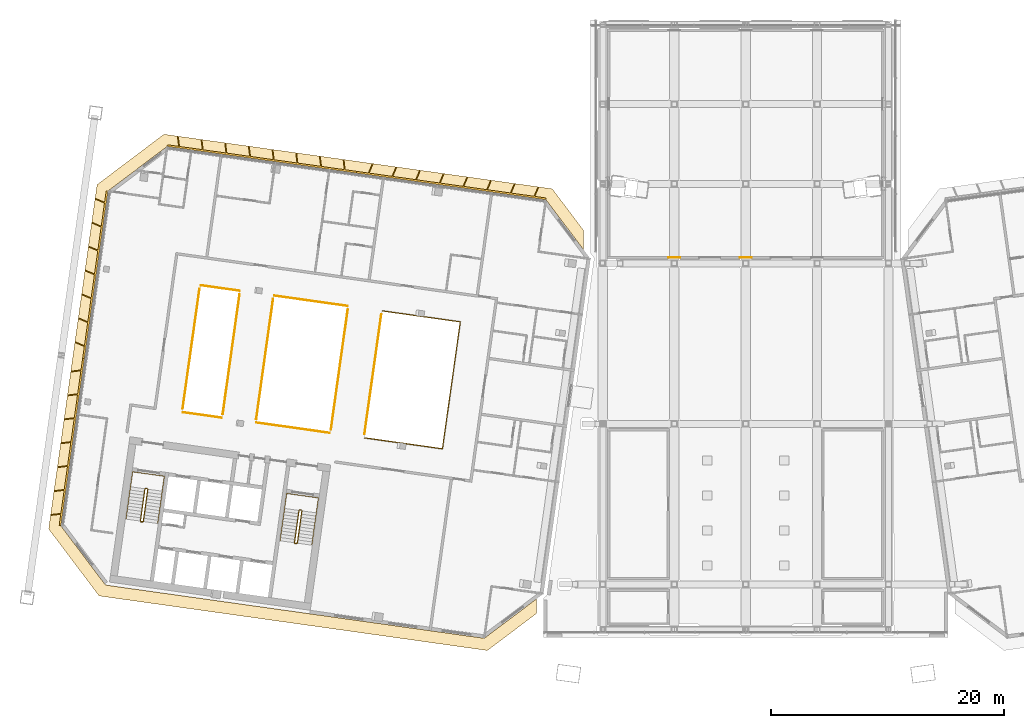
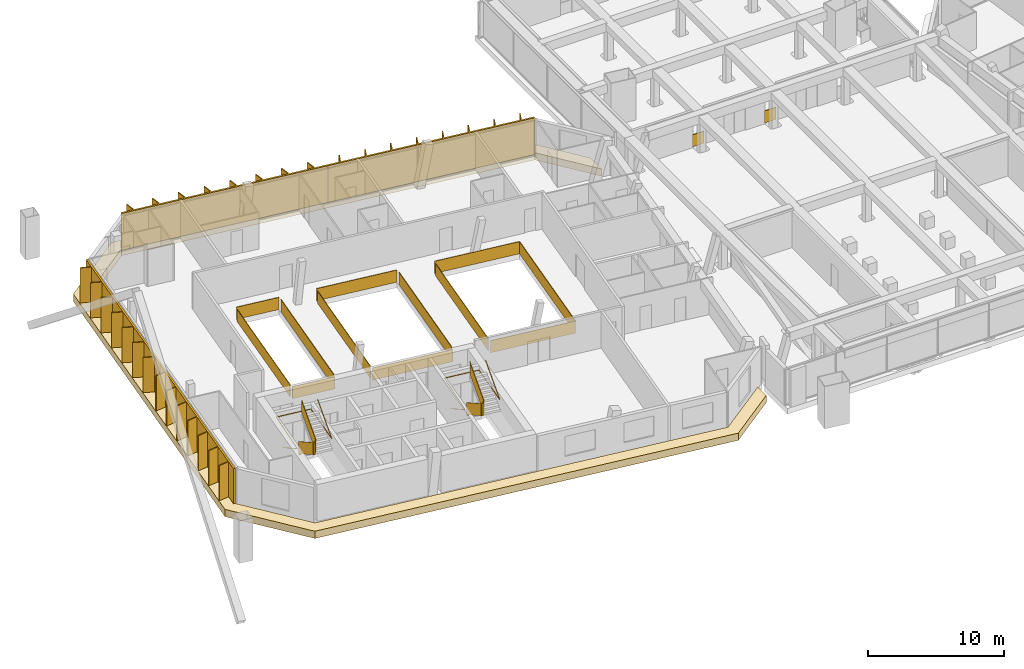
# One storey, part 24 of 28: 16 railings, 4 shading devices, 1 covering.
"""IFC4 building model written with IfcOpenShell, lengths in metres."""

from ifc_helpers import new_model, si_unit, direction, frame, origin, origin_2d, place, context, subcontext, project, spatial, polyline, rectangle, outline, extrude, material, layer, layer_set, type_object, element, save


model = new_model("IFC4")

# Units and contexts
model_context = context("Model", 3, precision=1e-05, world=origin(), true_north=direction((0.0, 1.0)))
body_context = subcontext(model_context, "Body", "Model", "MODEL_VIEW")
ifc_project = project(units=[si_unit("LENGTHUNIT", "METRE"), si_unit("AREAUNIT", "SQUARE_METRE"), si_unit("VOLUMEUNIT", "CUBIC_METRE"), si_unit("PLANEANGLEUNIT", "RADIAN"), si_unit("MASSUNIT", "GRAM", prefix="KILO")], contexts=[model_context])

# Site, building, storey
site_placement = place(None, origin())
site = spatial("IfcSite", under=ifc_project, at=site_placement, CompositionType="ELEMENT")
building_placement = place(site_placement, origin())
building = spatial("IfcBuilding", under=site, at=building_placement, Name="Mirante Cascada Hotel Towers", CompositionType="ELEMENT")
storey_placement = place(building_placement, frame((0.0, 0.0, 262.2)))
storey = spatial("IfcBuildingStorey", under=building, at=storey_placement, Name="L63", CompositionType="ELEMENT", Elevation=262.2)

# Railings
ifc_material_1 = material(Name="Toughened glass with stainless steel handrail", Category="steel")
railing_type_1 = type_object("IfcRailingType", Name="Atrium guard 1100 glass balustrade", PredefinedType="GUARDRAIL", material=ifc_material_1)
railing_1_placement = place(storey_placement, frame((-31.1707, 5.8392, 0.0)))
element("IfcRailing", 1, at=railing_1_placement, inside=storey, type_object=railing_type_1, Name="GUARD 1-L63-1", PredefinedType="GUARDRAIL", context=body_context, shape_type="SweptSolid", body=[
    extrude(rectangle(XDim=0.048, YDim=0.048, at=origin_2d()), frame((0.0, 0.0, 1.076), z_axis=(0.9902693, -0.1391645, 0.0), x_axis=(0.1391645, 0.9902693, 0.0)), (0.0, 0.0, 1.0), 6.7503),
    extrude(rectangle(XDim=0.02, YDim=1.052, at=origin_2d()), frame((0.0, 0.0, 0.526), z_axis=(0.9902693, -0.1391645, 0.0), x_axis=(0.1391645, 0.9902693, 0.0)), (0.0, 0.0, 1.0), 6.7503),
    extrude(rectangle(XDim=0.048, YDim=0.048, at=origin_2d()), frame((6.6846, -0.9394, 1.076), z_axis=(-0.1391721, -0.9902682, 0.0), x_axis=(0.9902682, -0.1391721, 0.0)), (0.0, 0.0, 1.0), 11.0001),
    extrude(rectangle(XDim=0.02, YDim=1.052, at=origin_2d()), frame((6.6846, -0.9394, 0.526), z_axis=(-0.1391721, -0.9902682, 0.0), x_axis=(0.9902682, -0.1391721, 0.0)), (0.0, 0.0, 1.0), 11.0001),
    extrude(rectangle(XDim=0.048, YDim=0.048, at=origin_2d()), frame((5.1537, -11.8324, 1.076), z_axis=(-0.9902672, 0.139179, 0.0), x_axis=(-0.139179, -0.9902672, 0.0)), (0.0, 0.0, 1.0), 6.7503),
    extrude(rectangle(XDim=0.02, YDim=1.052, at=origin_2d()), frame((5.1537, -11.8324, 0.526), z_axis=(-0.9902672, 0.139179, 0.0), x_axis=(-0.139179, -0.9902672, 0.0)), (0.0, 0.0, 1.0), 6.7503),
])
railing_2_placement = place(storey_placement, frame((-35.6724, -4.6362, 0.0)))
element("IfcRailing", 2, at=railing_2_placement, inside=storey, type_object=railing_type_1, Name="GUARD 1-L63-2", PredefinedType="GUARDRAIL", context=body_context, shape_type="SweptSolid", body=[
    extrude(rectangle(XDim=0.048, YDim=0.048, at=origin_2d()), frame((0.0, 0.0, 1.076), z_axis=(-0.9902682, 0.1391722, 0.0), x_axis=(-0.1391722, -0.9902682, 0.0)), (0.0, 0.0, 1.0), 6.3748),
    extrude(rectangle(XDim=0.02, YDim=1.052, at=origin_2d()), frame((0.0, 0.0, 0.526), z_axis=(-0.9902682, 0.1391722, 0.0), x_axis=(-0.1391722, -0.9902682, 0.0)), (0.0, 0.0, 1.0), 6.3748),
])
railing_3_placement = place(storey_placement, frame((-40.4543, 7.1439, 0.0)))
element("IfcRailing", 3, at=railing_3_placement, inside=storey, type_object=railing_type_1, Name="GUARD 1-L63-3", PredefinedType="GUARDRAIL", context=body_context, shape_type="SweptSolid", body=[
    extrude(rectangle(XDim=0.048, YDim=0.048, at=origin_2d()), frame((0.0, 0.0, 1.076), z_axis=(0.9902682, -0.1391722, 0.0), x_axis=(0.1391722, 0.9902682, 0.0)), (0.0, 0.0, 1.0), 6.3748),
    extrude(rectangle(XDim=0.02, YDim=1.052, at=origin_2d()), frame((0.0, 0.0, 0.526), z_axis=(0.9902682, -0.1391722, 0.0), x_axis=(0.1391722, 0.9902682, 0.0)), (0.0, 0.0, 1.0), 6.3748),
])
railing_4_placement = place(storey_placement, frame((-44.9561, -3.3315, 0.0)))
element("IfcRailing", 4, at=railing_4_placement, inside=storey, type_object=railing_type_1, Name="GUARD 1-L63-4", PredefinedType="GUARDRAIL", context=body_context, shape_type="SweptSolid", body=[
    extrude(rectangle(XDim=0.048, YDim=0.048, at=origin_2d()), frame((0.0, 0.0, 1.076), z_axis=(1.0, 0.0, 0.0), x_axis=(0.0, 1.0, 0.0)), (0.0, 0.0, 1.0), 0.0001),
    extrude(rectangle(XDim=0.02, YDim=1.052, at=origin_2d()), frame((0.0, 0.0, 0.526), z_axis=(1.0, 0.0, 0.0), x_axis=(0.0, 1.0, 0.0)), (0.0, 0.0, 1.0), 0.0001),
    extrude(rectangle(XDim=0.048, YDim=0.048, at=origin_2d()), frame((0.0001, 0.0, 1.076), z_axis=(-0.9902676, 0.1391767, 0.0), x_axis=(-0.1391767, -0.9902676, 0.0)), (0.0, 0.0, 1.0), 3.3748),
    extrude(rectangle(XDim=0.02, YDim=1.052, at=origin_2d()), frame((0.0001, 0.0, 0.526), z_axis=(-0.9902676, 0.1391767, 0.0), x_axis=(-0.1391767, -0.9902676, 0.0)), (0.0, 0.0, 1.0), 3.3748),
    extrude(rectangle(XDim=0.048, YDim=0.048, at=origin_2d()), frame((-3.3419, 0.4697, 1.076), z_axis=(0.9902566, -0.1392548, 0.0), x_axis=(0.1392548, 0.9902566, 0.0)), (0.0, 0.0, 1.0), 0.1874),
    extrude(rectangle(XDim=0.02, YDim=1.052, at=origin_2d()), frame((-3.3419, 0.4697, 0.526), z_axis=(0.9902566, -0.1392548, 0.0), x_axis=(0.1392548, 0.9902566, 0.0)), (0.0, 0.0, 1.0), 0.1874),
])
railing_5_placement = place(storey_placement, frame((-46.5815, 8.0051, 0.0)))
element("IfcRailing", 5, at=railing_5_placement, inside=storey, type_object=railing_type_1, Name="GUARD 1-L63-5", PredefinedType="GUARDRAIL", context=body_context, shape_type="SweptSolid", body=[
    extrude(rectangle(XDim=0.048, YDim=0.048, at=origin_2d()), frame((0.0, 0.0, 1.076), z_axis=(-0.9902566, 0.1392548, 0.0), x_axis=(-0.1392548, -0.9902566, 0.0)), (0.0, 0.0, 1.0), 0.1874),
    extrude(rectangle(XDim=0.02, YDim=1.052, at=origin_2d()), frame((0.0, 0.0, 0.526), z_axis=(-0.9902566, 0.1392548, 0.0), x_axis=(-0.1392548, -0.9902566, 0.0)), (0.0, 0.0, 1.0), 0.1874),
    extrude(rectangle(XDim=0.048, YDim=0.048, at=origin_2d()), frame((-0.1856, 0.0261, 1.076), z_axis=(0.9902676, -0.1391767, 0.0), x_axis=(0.1391767, 0.9902676, 0.0)), (0.0, 0.0, 1.0), 3.3748),
    extrude(rectangle(XDim=0.02, YDim=1.052, at=origin_2d()), frame((-0.1856, 0.0261, 0.526), z_axis=(0.9902676, -0.1391767, 0.0), x_axis=(0.1391767, 0.9902676, 0.0)), (0.0, 0.0, 1.0), 3.3748),
    extrude(rectangle(XDim=0.048, YDim=0.048, at=origin_2d()), frame((3.1564, -0.4436, 1.076), z_axis=(-1.0, 0.0, 0.0), x_axis=(0.0, -1.0, 0.0)), (0.0, 0.0, 1.0), 0.0001),
    extrude(rectangle(XDim=0.02, YDim=1.052, at=origin_2d()), frame((3.1564, -0.4436, 0.526), z_axis=(-1.0, 0.0, 0.0), x_axis=(0.0, -1.0, 0.0)), (0.0, 0.0, 1.0), 0.0001),
])
railing_6_placement = place(storey_placement, frame((-46.8577, 7.7455, 0.0)))
element("IfcRailing", 6, at=railing_6_placement, inside=storey, type_object=railing_type_1, Name="GUARD 1-L63-6", PredefinedType="GUARDRAIL", context=body_context, shape_type="SweptSolid", body=[
    extrude(rectangle(XDim=0.048, YDim=0.048, at=origin_2d()), frame((0.0, 0.0, 1.076), z_axis=(-0.1391776, -0.9902674, 0.0), x_axis=(0.9902674, -0.1391776, 0.0)), (0.0, 0.0, 1.0), 10.409),
    extrude(rectangle(XDim=0.02, YDim=1.052, at=origin_2d()), frame((0.0, 0.0, 0.526), z_axis=(-0.1391776, -0.9902674, 0.0), x_axis=(0.9902674, -0.1391776, 0.0)), (0.0, 0.0, 1.0), 10.409),
])
railing_7_placement = place(storey_placement, frame((-44.8663, -3.0455, 0.0)))
element("IfcRailing", 7, at=railing_7_placement, inside=storey, type_object=railing_type_1, Name="GUARD 1-L63-7", PredefinedType="GUARDRAIL", context=body_context, shape_type="SweptSolid", body=[
    extrude(rectangle(XDim=0.048, YDim=0.048, at=origin_2d()), frame((0.0, 0.0, 1.076), z_axis=(0.1391721, 0.9902682, 0.0), x_axis=(-0.9902682, 0.1391721, 0.0)), (0.0, 0.0, 1.0), 10.4087),
    extrude(rectangle(XDim=0.02, YDim=1.052, at=origin_2d()), frame((0.0, 0.0, 0.526), z_axis=(0.1391721, 0.9902682, 0.0), x_axis=(-0.9902682, 0.1391721, 0.0)), (0.0, 0.0, 1.0), 10.4087),
])
railing_8_placement = place(storey_placement, frame((-40.544, 6.858, 0.0)))
element("IfcRailing", 8, at=railing_8_placement, inside=storey, type_object=railing_type_1, Name="GUARD 1-L63-8", PredefinedType="GUARDRAIL", context=body_context, shape_type="SweptSolid", body=[
    extrude(rectangle(XDim=0.048, YDim=0.048, at=origin_2d()), frame((0.0, 0.0, 1.076), z_axis=(-0.1391721, -0.9902682, 0.0), x_axis=(0.9902682, -0.1391721, 0.0)), (0.0, 0.0, 1.0), 10.4087),
    extrude(rectangle(XDim=0.02, YDim=1.052, at=origin_2d()), frame((0.0, 0.0, 0.526), z_axis=(-0.1391721, -0.9902682, 0.0), x_axis=(0.9902682, -0.1391721, 0.0)), (0.0, 0.0, 1.0), 10.4087),
])
railing_9_placement = place(storey_placement, frame((-35.5827, -4.3503, 0.0)))
element("IfcRailing", 9, at=railing_9_placement, inside=storey, type_object=railing_type_1, Name="GUARD 1-L63-9", PredefinedType="GUARDRAIL", context=body_context, shape_type="SweptSolid", body=[
    extrude(rectangle(XDim=0.048, YDim=0.048, at=origin_2d()), frame((0.0, 0.0, 1.076), z_axis=(0.1391721, 0.9902682, 0.0), x_axis=(-0.9902682, 0.1391721, 0.0)), (0.0, 0.0, 1.0), 10.4087),
    extrude(rectangle(XDim=0.02, YDim=1.052, at=origin_2d()), frame((0.0, 0.0, 0.526), z_axis=(0.1391721, 0.9902682, 0.0), x_axis=(-0.9902682, 0.1391721, 0.0)), (0.0, 0.0, 1.0), 10.4087),
])
railing_10_placement = place(storey_placement, frame((-31.2604, 5.5533, 0.0)))
element("IfcRailing", 10, at=railing_10_placement, inside=storey, type_object=railing_type_1, Name="GUARD 1-L63-10", PredefinedType="GUARDRAIL", context=body_context, shape_type="SweptSolid", body=[
    extrude(rectangle(XDim=0.048, YDim=0.048, at=origin_2d()), frame((0.0, 0.0, 1.076), z_axis=(-0.1391721, -0.9902682, 0.0), x_axis=(0.9902682, -0.1391721, 0.0)), (0.0, 0.0, 1.0), 10.4087),
    extrude(rectangle(XDim=0.02, YDim=1.052, at=origin_2d()), frame((0.0, 0.0, 0.526), z_axis=(-0.1391721, -0.9902682, 0.0), x_axis=(0.9902682, -0.1391721, 0.0)), (0.0, 0.0, 1.0), 10.4087),
])

# Covering
ifc_material_2 = material(Name="Precast concrete C40/50 white", Category="concrete")
ifc_layer = layer(ifc_material_2, 0.6)
ifc_layer_set = layer_set([ifc_layer], Name="Precast concrete SUNSHADE band 1000x600")
covering_type = type_object("IfcCoveringType", Name="Precast concrete SUNSHADE band 1000x600", PredefinedType="CLADDING", material=ifc_layer_set)
covering_placement = place(storey_placement, frame((0.0, 0.0, -0.5)))
element("IfcCovering", 11, at=covering_placement, inside=storey, type_object=covering_type, Name="Precast concrete SUNSHADE band T1 L63", PredefinedType="CLADDING", context=body_context, shape_type="SweptSolid", body=[
    extrude(outline(polyline([(-55.6518, 16.6659), (-49.9078, 20.9944), (-16.5947, 16.3126), (-13.9142, 12.7553), (-13.9142, 11.0937), (-17.1441, 15.3799), (-49.6367, 19.9465), (-54.7192, 16.1166), (-58.7552, -12.6012), (-54.9253, -17.6837), (-22.4327, -22.2502), (-17.9502, -18.8724), (-17.9502, -20.1246), (-22.1617, -23.2982), (-55.4747, -18.6163), (-59.8032, -12.8722), (-55.6518, 16.6659)])), origin(), (0.0, 0.0, 1.0), 0.65),
])

# Railings
ifc_material_3 = material(Name="Painted steel", Category="steel")
railing_type_2 = type_object("IfcRailingType", Name="Stair guard 1100 steel balustrade", PredefinedType="GUARDRAIL", material=ifc_material_3)
railing_11_placement = place(storey_placement, frame((-38.1178, -11.2603, 0.0)))
element("IfcRailing", 12, at=railing_11_placement, inside=storey, type_object=railing_type_2, Name="L63 ST1-A stair guard 1", PredefinedType="GUARDRAIL", context=body_context, shape_type="SweptSolid", body=[
    extrude(rectangle(XDim=0.048, YDim=0.048, at=origin_2d()), frame((0.0, 0.0, 1.076), z_axis=(-0.9903326, 0.1387133, 0.0), x_axis=(-0.1387133, -0.9903326, 0.0)), (0.0, 0.0, 1.0), 0.1499),
    extrude(rectangle(XDim=0.02, YDim=1.052, at=origin_2d()), frame((0.0, 0.0, 0.526), z_axis=(-0.9903326, 0.1387133, 0.0), x_axis=(-0.1387133, -0.9903326, 0.0)), (0.0, 0.0, 1.0), 0.1499),
    extrude(rectangle(XDim=0.048, YDim=0.048, at=origin_2d()), frame((-0.1485, 0.0208, 1.076), z_axis=(-0.7991505, -0.6011309, 0.0), x_axis=(0.6011309, -0.7991505, 0.0)), (0.0, 0.9254529, 0.3788627), 0.1866),
    extrude(rectangle(XDim=0.02, YDim=1.052, at=origin_2d()), frame((-0.1485, 0.0208, 0.526), z_axis=(-0.7991505, -0.6011309, 0.0), x_axis=(0.6011309, -0.7991505, 0.0)), (0.0, 0.9254529, 0.3788627), 0.1866),
    extrude(rectangle(XDim=0.048, YDim=0.048, at=origin_2d()), frame((-0.205, -0.0217, 1.2487), z_axis=(-0.139176, -0.9902677, 0.0), x_axis=(0.9902677, -0.139176, 0.0)), (0.0, 0.5250212, 0.8510891), 3.29),
    extrude(rectangle(XDim=0.02, YDim=1.052, at=origin_2d()), frame((-0.205, -0.0217, 0.6987), z_axis=(-0.139176, -0.9902677, 0.0), x_axis=(0.9902677, -0.139176, 0.0)), (0.0, 0.5250212, 0.8510891), 3.29),
    extrude(rectangle(XDim=0.048, YDim=0.048, at=origin_2d()), frame((-0.5947, -2.7945, 2.976), z_axis=(0.9270311, -0.3749843, 0.0), x_axis=(0.3749843, 0.9270311, 0.0)), (0.0, 0.0, 1.0), 0.2061),
    extrude(rectangle(XDim=0.02, YDim=1.052, at=origin_2d()), frame((-0.5947, -2.7945, 2.426), z_axis=(0.9270311, -0.3749843, 0.0), x_axis=(0.3749843, 0.9270311, 0.0)), (0.0, 0.0, 1.0), 0.2061),
    extrude(rectangle(XDim=0.048, YDim=0.048, at=origin_2d()), frame((-0.4036, -2.8718, 2.976), z_axis=(-0.9902408, 0.1393672, 0.0), x_axis=(-0.1393672, -0.9902408, 0.0)), (0.0, 0.0, 1.0), 0.15),
    extrude(rectangle(XDim=0.02, YDim=1.052, at=origin_2d()), frame((-0.4036, -2.8718, 2.426), z_axis=(-0.9902408, 0.1393672, 0.0), x_axis=(-0.1393672, -0.9902408, 0.0)), (0.0, 0.0, 1.0), 0.15),
    extrude(rectangle(XDim=0.048, YDim=0.048, at=origin_2d()), frame((-0.5521, -2.8509, 2.976), z_axis=(0.9944948, 0.1047858, 0.0), x_axis=(-0.1047858, 0.9944948, 0.0)), (0.0, 0.6422034, 0.7665343), 0.2689),
    extrude(rectangle(XDim=0.02, YDim=1.052, at=origin_2d()), frame((-0.5521, -2.8509, 2.426), z_axis=(0.9944948, 0.1047858, 0.0), x_axis=(-0.1047858, 0.9944948, 0.0)), (0.0, 0.6422034, 0.7665343), 0.2689),
    extrude(rectangle(XDim=0.048, YDim=0.048, at=origin_2d()), frame((-0.3471, -2.8293, 3.1487), z_axis=(0.139176, 0.9902677, 0.0), x_axis=(-0.9902677, 0.139176, 0.0)), (0.0, 0.5250212, 0.8510891), 3.29),
    extrude(rectangle(XDim=0.02, YDim=1.052, at=origin_2d()), frame((-0.3471, -2.8293, 2.5987), z_axis=(0.139176, 0.9902677, 0.0), x_axis=(-0.9902677, 0.139176, 0.0)), (0.0, 0.5250212, 0.8510891), 3.29),
])
railing_12_placement = place(storey_placement, frame((-51.3379, -9.4024, 0.0)))
element("IfcRailing", 13, at=railing_12_placement, inside=storey, type_object=railing_type_2, Name="L63 ST1-B stair guard 1", PredefinedType="GUARDRAIL", context=body_context, shape_type="SweptSolid", body=[
    extrude(rectangle(XDim=0.048, YDim=0.048, at=origin_2d()), frame((0.0, 0.0, 1.076), z_axis=(-0.9902408, 0.1393672, 0.0), x_axis=(-0.1393672, -0.9902408, 0.0)), (0.0, 0.0, 1.0), 0.15),
    extrude(rectangle(XDim=0.02, YDim=1.052, at=origin_2d()), frame((0.0, 0.0, 0.526), z_axis=(-0.9902408, 0.1393672, 0.0), x_axis=(-0.1393672, -0.9902408, 0.0)), (0.0, 0.0, 1.0), 0.15),
    extrude(rectangle(XDim=0.048, YDim=0.048, at=origin_2d()), frame((-0.1485, 0.0209, 1.076), z_axis=(-0.7984711, -0.6020331, 0.0), x_axis=(0.6020331, -0.7984711, 0.0)), (0.0, 0.9253398, 0.3791387), 0.1866),
    extrude(rectangle(XDim=0.02, YDim=1.052, at=origin_2d()), frame((-0.1485, 0.0209, 0.526), z_axis=(-0.7984711, -0.6020331, 0.0), x_axis=(0.6020331, -0.7984711, 0.0)), (0.0, 0.9253398, 0.3791387), 0.1866),
    extrude(rectangle(XDim=0.048, YDim=0.048, at=origin_2d()), frame((-0.205, -0.0217, 1.2487), z_axis=(-0.139181, -0.990267, 0.0), x_axis=(0.990267, -0.139181, 0.0)), (0.0, 0.5250347, 0.8510808), 3.2899),
    extrude(rectangle(XDim=0.02, YDim=1.052, at=origin_2d()), frame((-0.205, -0.0217, 0.6987), z_axis=(-0.139181, -0.990267, 0.0), x_axis=(0.990267, -0.139181, 0.0)), (0.0, 0.5250347, 0.8510808), 3.2899),
    extrude(rectangle(XDim=0.048, YDim=0.048, at=origin_2d()), frame((-0.5947, -2.7944, 2.976), z_axis=(0.9268624, -0.3754011, 0.0), x_axis=(0.3754011, 0.9268624, 0.0)), (0.0, 0.0, 1.0), 0.2062),
    extrude(rectangle(XDim=0.02, YDim=1.052, at=origin_2d()), frame((-0.5947, -2.7944, 2.426), z_axis=(0.9268624, -0.3754011, 0.0), x_axis=(0.3754011, 0.9268624, 0.0)), (0.0, 0.0, 1.0), 0.2062),
    extrude(rectangle(XDim=0.048, YDim=0.048, at=origin_2d()), frame((-0.4036, -2.8718, 2.976), z_axis=(-0.9902408, 0.1393672, 0.0), x_axis=(-0.1393672, -0.9902408, 0.0)), (0.0, 0.0, 1.0), 0.15),
    extrude(rectangle(XDim=0.02, YDim=1.052, at=origin_2d()), frame((-0.4036, -2.8718, 2.426), z_axis=(-0.9902408, 0.1393672, 0.0), x_axis=(-0.1393672, -0.9902408, 0.0)), (0.0, 0.0, 1.0), 0.15),
    extrude(rectangle(XDim=0.048, YDim=0.048, at=origin_2d()), frame((-0.5521, -2.8509, 2.976), z_axis=(0.9944441, 0.1052656, 0.0), x_axis=(-0.1052656, 0.9944441, 0.0)), (0.0, 0.6421842, 0.7665504), 0.2689),
    extrude(rectangle(XDim=0.02, YDim=1.052, at=origin_2d()), frame((-0.5521, -2.8509, 2.426), z_axis=(0.9944441, 0.1052656, 0.0), x_axis=(-0.1052656, 0.9944441, 0.0)), (0.0, 0.6421842, 0.7665504), 0.2689),
    extrude(rectangle(XDim=0.048, YDim=0.048, at=origin_2d()), frame((-0.3471, -2.8292, 3.1487), z_axis=(0.139181, 0.990267, 0.0), x_axis=(-0.990267, 0.139181, 0.0)), (0.0, 0.5250347, 0.8510808), 3.2899),
    extrude(rectangle(XDim=0.02, YDim=1.052, at=origin_2d()), frame((-0.3471, -2.8292, 2.5987), z_axis=(0.139181, 0.990267, 0.0), x_axis=(-0.990267, 0.139181, 0.0)), (0.0, 0.5250347, 0.8510808), 3.2899),
])
ifc_material_4 = material(Name="Painted steel", Category="steel")
railing_type_3 = type_object("IfcRailingType", Name="Stair handrail 900 steel tube", PredefinedType="HANDRAIL", material=ifc_material_4)
railing_13_placement = place(storey_placement, frame((-39.5606, -11.1081, 0.1727)))
element("IfcRailing", 14, at=railing_13_placement, inside=storey, type_object=railing_type_3, Name="L63 ST1-A stair handrail 1", PredefinedType="HANDRAIL", context=body_context, shape_type="SweptSolid", body=[
    extrude(rectangle(XDim=0.048, YDim=0.048, at=origin_2d()), frame((0.0, 0.0, 0.876), z_axis=(-0.139181, -0.990267, 0.0), x_axis=(0.990267, -0.139181, 0.0)), (0.0, 0.5250347, 0.8510808), 3.2899),
    extrude(rectangle(XDim=0.048, YDim=0.048, at=origin_2d()), frame((-0.3897, -2.7727, 2.6033), z_axis=(0.1391707, 0.9902684, 0.0), x_axis=(-0.9902684, 0.1391707, 0.0)), (0.0, 0.0420846, 0.999114), 4.1036),
    extrude(rectangle(XDim=0.048, YDim=0.048, at=origin_2d()), frame((0.1809, 1.2874, 2.776), z_axis=(0.9902691, -0.1391657, 0.0), x_axis=(0.1391657, 0.9902691, 0.0)), (0.0, 0.0, 1.0), 2.75),
    extrude(rectangle(XDim=0.048, YDim=0.048, at=origin_2d()), frame((2.9041, 0.9047, 2.776), z_axis=(-0.1391707, -0.9902684, 0.0), x_axis=(0.9902684, -0.1391707, 0.0)), (0.0, 0.0, 1.0), 4.1),
    extrude(rectangle(XDim=0.048, YDim=0.048, at=origin_2d()), frame((2.3335, -3.1554, 2.776), z_axis=(0.139181, 0.990267, 0.0), x_axis=(-0.990267, 0.139181, 0.0)), (0.0, 0.5250347, 0.8510808), 3.2899),
])
railing_14_placement = place(storey_placement, frame((-52.7807, -9.2501, 0.1727)))
element("IfcRailing", 15, at=railing_14_placement, inside=storey, type_object=railing_type_3, Name="L63 ST1-B stair handrail 1", PredefinedType="HANDRAIL", context=body_context, shape_type="SweptSolid", body=[
    extrude(rectangle(XDim=0.048, YDim=0.048, at=origin_2d()), frame((0.0, 0.0, 0.876), z_axis=(-0.139181, -0.990267, 0.0), x_axis=(0.990267, -0.139181, 0.0)), (0.0, 0.5250347, 0.8510808), 3.2899),
    extrude(rectangle(XDim=0.048, YDim=0.048, at=origin_2d()), frame((-0.3897, -2.7727, 2.6033), z_axis=(0.1391707, 0.9902684, 0.0), x_axis=(-0.9902684, 0.1391707, 0.0)), (0.0, 0.0420846, 0.999114), 4.1036),
    extrude(rectangle(XDim=0.048, YDim=0.048, at=origin_2d()), frame((0.1809, 1.2874, 2.776), z_axis=(0.9902641, -0.1392013, 0.0), x_axis=(0.1392013, 0.9902641, 0.0)), (0.0, 0.0, 1.0), 2.75),
    extrude(rectangle(XDim=0.048, YDim=0.048, at=origin_2d()), frame((2.9041, 0.9046, 2.776), z_axis=(-0.1391707, -0.9902684, 0.0), x_axis=(0.9902684, -0.1391707, 0.0)), (0.0, 0.0, 1.0), 4.1),
    extrude(rectangle(XDim=0.048, YDim=0.048, at=origin_2d()), frame((2.3335, -3.1555, 2.776), z_axis=(0.139176, 0.9902677, 0.0), x_axis=(-0.9902677, 0.139176, 0.0)), (0.0, 0.5250212, 0.8510891), 3.29),
])
ifc_material_5 = material(Name="Toughened glass", Category="glass")
railing_type_4 = type_object("IfcRailingType", Name="Truss bay glazed screen 1100", PredefinedType="GUARDRAIL", material=ifc_material_5)
for number, where, name in (
    (16, (-6.63, 10.41, 0.0), "Truss bay glazed screen L63 1"),
    (17, (-0.5, 10.41, 0.0), "Truss bay glazed screen L63 2"),
):
    element("IfcRailing", number, at=place(storey_placement, frame(where)), inside=storey, type_object=railing_type_4, Name=name, PredefinedType="GUARDRAIL", context=body_context, shape_type="SweptSolid", body=[
        extrude(rectangle(XDim=0.048, YDim=0.048, at=origin_2d()), frame((0.0, 0.0, 1.076), z_axis=(1.0, 0.0, 0.0), x_axis=(0.0, 1.0, 0.0)), (0.0, 0.0, 1.0), 1.0),
        extrude(rectangle(XDim=0.02, YDim=1.052, at=origin_2d()), frame((0.0, 0.0, 0.526), z_axis=(1.0, 0.0, 0.0), x_axis=(0.0, 1.0, 0.0)), (0.0, 0.0, 1.0), 1.0),
    ])

# Shading devices
ifc_material_6 = material(Name="White precast concrete C50/60 fin", Category="concrete")
shading_device_type = type_object("IfcShadingDeviceType", Name="Vertical fin set 4500x900", PredefinedType="USERDEFINED", material=ifc_material_6)
shading_device_1_placement = place(storey_placement, origin())
element("IfcShadingDevice", 18, at=shading_device_1_placement, inside=storey, type_object=shading_device_type, Name="FIN T1 L63 front 1", ObjectType="FIN", PredefinedType="USERDEFINED", context=body_context, shape_type="SweptSolid", body=[
    extrude(outline(polyline([(-34.3572, 17.9506), (-33.3695, 17.8118), (-33.3904, 17.6632), (-49.6367, 19.9465), (-49.6159, 20.095), (-48.6547, 19.96), (-48.7568, 20.7912), (-48.6774, 20.801), (-48.5727, 19.9484), (-46.624, 19.6745), (-46.726, 20.5058), (-46.6466, 20.5156), (-46.5419, 19.663), (-44.5932, 19.3891), (-44.6952, 20.2204), (-44.6158, 20.2302), (-44.5112, 19.3776), (-42.5624, 19.1037), (-42.6644, 19.935), (-42.585, 19.9447), (-42.4804, 19.0922), (-40.5316, 18.8183), (-40.6337, 19.6496), (-40.5542, 19.6593), (-40.4496, 18.8068), (-38.5008, 18.5329), (-38.6029, 19.3642), (-38.5235, 19.3739), (-38.4188, 18.5214), (-36.47, 18.2475), (-36.5721, 19.0788), (-36.4927, 19.0885), (-36.388, 18.236), (-34.4392, 17.9621), (-34.5413, 18.7934), (-34.4619, 18.8031), (-34.3572, 17.9506)])), origin(), (0.0, 0.0, 1.0), 3.3),
])
shading_device_2_placement = place(storey_placement, origin())
element("IfcShadingDevice", 19, at=shading_device_2_placement, inside=storey, type_object=shading_device_type, Name="FIN T1 L63 front 2", ObjectType="FIN", PredefinedType="USERDEFINED", context=body_context, shape_type="SweptSolid", body=[
    extrude(outline(polyline([(-18.0843, 15.6636), (-17.1232, 15.5285), (-17.1441, 15.3799), (-33.3904, 17.6632), (-33.3695, 17.8118), (-32.3819, 17.673), (-32.0463, 18.4636), (-31.9726, 18.4324), (-32.2999, 17.6614), (-30.3511, 17.3875), (-30.0155, 18.1782), (-29.9418, 18.147), (-30.2691, 17.376), (-28.3203, 17.1021), (-27.9847, 17.8928), (-27.911, 17.8615), (-28.2383, 17.0906), (-26.2895, 16.8167), (-25.9539, 17.6074), (-25.8803, 17.5761), (-26.2075, 16.8052), (-24.2587, 16.5313), (-23.9231, 17.322), (-23.8495, 17.2907), (-24.1767, 16.5198), (-22.2279, 16.2459), (-21.8923, 17.0366), (-21.8187, 17.0053), (-22.1459, 16.2344), (-20.1971, 15.9605), (-19.8615, 16.7512), (-19.7879, 16.7199), (-20.1151, 15.949), (-18.1664, 15.6751), (-17.8307, 16.4658), (-17.7571, 16.4345), (-18.0843, 15.6636)])), origin(), (0.0, 0.0, 1.0), 3.3),
])
shading_device_3_placement = place(storey_placement, origin())
element("IfcShadingDevice", 20, at=shading_device_3_placement, inside=storey, type_object=shading_device_type, Name="FIN T1 L63 outer 1", ObjectType="FIN", PredefinedType="USERDEFINED", context=body_context, shape_type="SweptSolid", body=[
    extrude(outline(polyline([(-58.7557, -11.527), (-58.479, -9.5577), (-59.3103, -9.6598), (-59.32, -9.5804), (-58.4675, -9.4757), (-58.1907, -7.5064), (-59.022, -7.6085), (-59.0317, -7.5291), (-58.1792, -7.4244), (-57.9024, -5.4552), (-58.7337, -5.5572), (-58.7434, -5.4778), (-57.8909, -5.3732), (-57.6141, -3.4039), (-58.4454, -3.506), (-58.4551, -3.4266), (-57.6026, -3.3219), (-57.3258, -1.3526), (-58.1571, -1.4547), (-58.1669, -1.3753), (-57.3143, -1.2706), (-57.0375, 0.6986), (-57.8688, 0.5966), (-57.8786, 0.676), (-57.026, 0.7807), (-56.8858, 1.7785), (-56.7372, 1.7577), (-58.7552, -12.6012), (-58.9038, -12.5803), (-58.7673, -11.609), (-59.5985, -11.711), (-59.6083, -11.6316), (-58.7557, -11.527)])), origin(), (0.0, 0.0, 1.0), 3.3),
])
shading_device_4_placement = place(storey_placement, origin())
element("IfcShadingDevice", 21, at=shading_device_4_placement, inside=storey, type_object=shading_device_type, Name="FIN T1 L63 outer 2", ObjectType="FIN", PredefinedType="USERDEFINED", context=body_context, shape_type="SweptSolid", body=[
    extrude(outline(polyline([(-56.734, 2.8585), (-56.4572, 4.8277), (-57.2479, 5.1633), (-57.2167, 5.237), (-56.4457, 4.9097), (-56.169, 6.879), (-56.9596, 7.2146), (-56.9284, 7.2882), (-56.1574, 6.961), (-55.8807, 8.9303), (-56.6713, 9.2659), (-56.6401, 9.3395), (-55.8691, 9.0123), (-55.5924, 10.9815), (-56.3831, 11.3171), (-56.3518, 11.3908), (-55.5809, 11.0635), (-55.3041, 13.0328), (-56.0948, 13.3684), (-56.0635, 13.4421), (-55.2926, 13.1148), (-55.0158, 15.0841), (-55.8065, 15.4197), (-55.7752, 15.4933), (-55.0043, 15.1661), (-54.8678, 16.1374), (-54.7192, 16.1166), (-56.7372, 1.7577), (-56.8858, 1.7785), (-56.7455, 2.7764), (-57.5362, 3.1121), (-57.5049, 3.1857), (-56.734, 2.8585)])), origin(), (0.0, 0.0, 1.0), 3.3),
])

save(model, "model.ifc")
